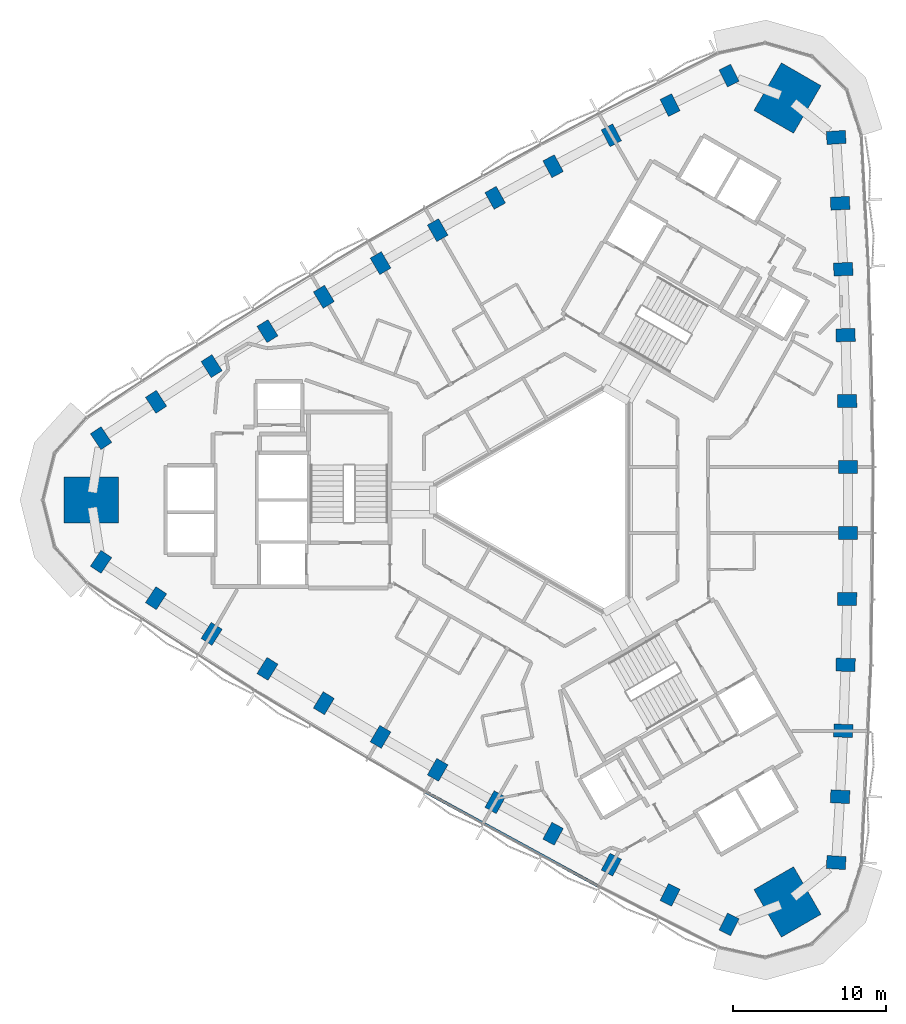
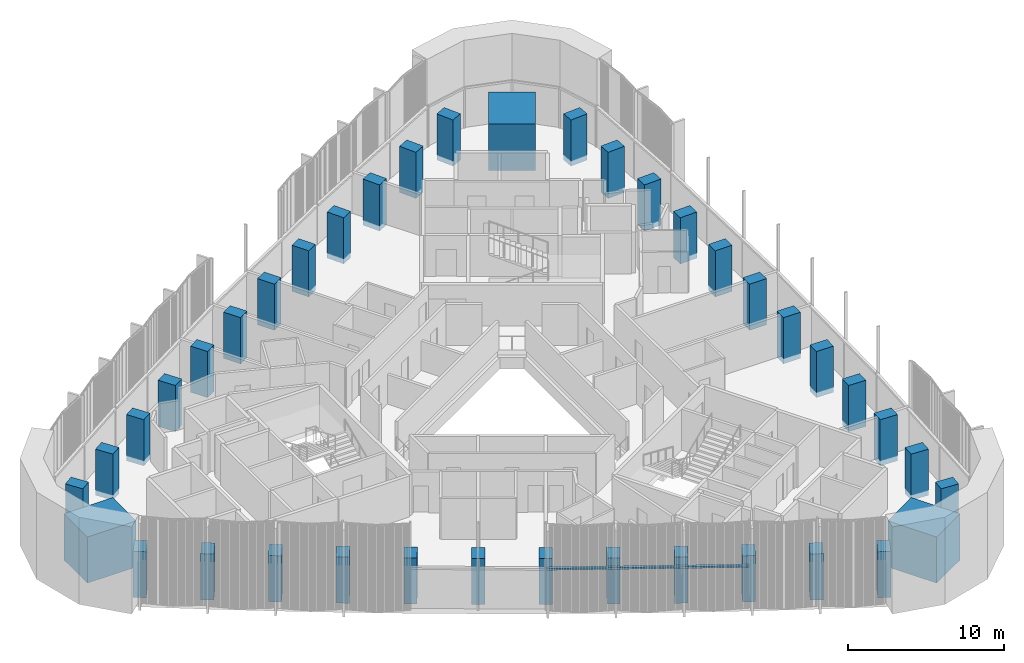
# One storey, part 1 of 15: 39 columns, 1 member, 1 element without a shape of its own.
"""IFC4 building model written with IfcOpenShell, lengths in metres."""

from ifc_helpers import new_model, si_unit, direction, frame, origin, origin_2d, place, context, subcontext, project, spatial, rectangle, extrude, material, material_profile, profile_set, type_object, element, aggregate, save


model = new_model("IFC4")

# Units and contexts
model_context = context("Model", 3, precision=1e-05, world=origin(), true_north=direction((0.0, 1.0)))
body_context = subcontext(model_context, "Body", "Model", "MODEL_VIEW")
ifc_project = project(units=[si_unit("LENGTHUNIT", "METRE"), si_unit("AREAUNIT", "SQUARE_METRE"), si_unit("VOLUMEUNIT", "CUBIC_METRE"), si_unit("PLANEANGLEUNIT", "RADIAN"), si_unit("MASSUNIT", "GRAM", prefix="KILO")], contexts=[model_context])

# Site, building, storey
site_placement = place(None, origin())
site = spatial("IfcSite", under=ifc_project, at=site_placement, CompositionType="ELEMENT")
building_placement = place(site_placement, origin())
building = spatial("IfcBuilding", under=site, at=building_placement, Name="Tamra Quay Hotel Tower", CompositionType="ELEMENT")
storey_placement = place(building_placement, frame((0.0, 0.0, 157.60009765625)))
storey = spatial("IfcBuildingStorey", under=building, at=storey_placement, Name="L39", CompositionType="ELEMENT", Elevation=157.60009765625)

# Columns
ifc_material_1 = material(Name="Concrete M70", Category="concrete")
ifc_material_profile_1 = material_profile(ifc_material_1, rectangle(XDim=1.25, YDim=0.85009765625, at=origin_2d()), Name="COLUMN RC 850x1250 Z3")
ifc_profile_set_1 = profile_set([ifc_material_profile_1], Name="Concrete M70")
column_type_1 = type_object("IfcColumnType", Name="COLUMN RC 850x1250 Z3", PredefinedType="COLUMN", material=ifc_profile_set_1)
for number, where, z_axis, x_axis, name in (
    (1, (18.396728515625, -23.757080078125, -0.400146484375), (0.0, 0.0, 1.0), (-0.997857895766, 0.065418803553, 0.0), "COL-C3E01-L39"),
    (2, (18.654541015625, -19.4423828125, -0.400146484375), (0.0, 0.0, 1.0), (-0.998562324173, 0.053603029218, 0.0), "COL-C3E02-L39"),
    (3, (18.86083984375, -15.124267578125, -0.400146484375), (0.0, 0.0, 1.0), (-0.999109109653, 0.042201741775, 0.0), "COL-C3E03-L39"),
    (4, (19.015869140625, -10.8046875, -0.400146484375), (0.0, 0.0, 1.0), (-0.99955268585, 0.029906992649, 0.0), "COL-C3E04-L39"),
    (5, (19.119140625, -6.483642578125, -0.400146484375), (0.0, 0.0, 1.0), (-0.999845156469, 0.017597246518, 0.0), "COL-C3E05-L39"),
    (6, (19.1708984375, -2.1611328125, -0.400146484375), (0.0, 0.0, 1.0), (-0.999981031775, 0.006159227987, 0.0), "COL-C3E06-L39"),
    (7, (19.1708984375, 2.1611328125, -0.400146484375), (0.0, 0.0, 1.0), (0.999981031775, 0.006159227987, 0.0), "COL-C3E07-L39"),
    (8, (19.119140625, 6.483642578125, -0.400146484375), (0.0, 0.0, 1.0), (0.999845156469, 0.017597246518, 0.0), "COL-C3E08-L39"),
    (9, (19.015869140625, 10.8046875, -0.400146484375), (0.0, 0.0, 1.0), (0.99955268585, 0.029906992649, 0.0), "COL-C3E09-L39"),
    (10, (18.86083984375, 15.124267578125, -0.400146484375), (0.0, 0.0, 1.0), (0.999109109653, 0.042201741775, 0.0), "COL-C3E10-L39"),
    (11, (18.654541015625, 19.4423828125, -0.400146484375), (0.0, 0.0, 1.0), (0.998562324173, 0.053603029218, 0.0), "COL-C3E11-L39"),
    (12, (18.396728515625, 23.757080078125, -0.400146484375), (0.0, 0.0, 1.0), (0.997857895766, 0.065418803553, 0.0), "COL-C3E12-L39"),
    (13, (11.3759765625, 27.810546875, -0.400146484375), (0.0, 0.0, 1.0), (-0.44227460212, 0.896879688877, 0.0), "COL-C3NW01-L39"),
    (14, (7.51025390625, 25.87646484375, -0.400146484375), (0.0, 0.0, 1.0), (-0.452859577064, 0.891581854605, 0.0), "COL-C3NW02-L39"),
    (15, (3.66748046875, 23.896240234375, -0.400146484375), (0.0, 0.0, 1.0), (-0.463006774365, 0.886354740999, 0.0), "COL-C3NW03-L39"),
    (16, (-0.150634765625, 21.87060546875, -0.400146484375), (0.0, 0.0, 1.0), (-0.47387612754, 0.880591514692, 0.0), "COL-C3NW04-L39"),
    (17, (-3.944580078125, 19.799560546875, -0.400146484375), (0.0, 0.0, 1.0), (-0.484682915713, 0.874689928612, 0.0), "COL-C3NW05-L39"),
    (18, (-7.7138671875, 17.68310546875, -0.400146484375), (0.0, 0.0, 1.0), (-0.494656467983, 0.869088590813, 0.0), "COL-C3NW06-L39"),
    (19, (-11.45703125, 15.521728515625, -0.400146484375), (0.0, 0.0, 1.0), (-0.505324563792, 0.862929362827, 0.0), "COL-C3NW07-L39"),
    (20, (-15.174560546875, 13.31591796875, -0.400146484375), (0.0, 0.0, 1.0), (-0.515162240756, 0.857092682094, 0.0), "COL-C3NW08-L39"),
    (21, (-18.864990234375, 11.06591796875, -0.400146484375), (0.0, 0.0, 1.0), (-0.52567655831, 0.850684522043, 0.0), "COL-C3NW09-L39"),
    (22, (-22.528564453125, 8.771728515625, -0.400146484375), (0.0, 0.0, 1.0), (-0.536102335288, 0.844152999224, 0.0), "COL-C3NW10-L39"),
    (23, (-26.164794921875, 6.43408203125, -0.400146484375), (0.0, 0.0, 1.0), (-0.545702747109, 0.837978825387, 0.0), "COL-C3NW11-L39"),
    (24, (-29.772705078125, 4.053466796875, -0.400146484375), (0.0, 0.0, 1.0), (-0.555583293645, 0.831460885323, 0.0), "COL-C3NW12-L39"),
    (25, (-29.772705078125, -4.053466796875, -0.400146484375), (0.0, 0.0, 1.0), (0.555583293645, 0.831460885323, 0.0), "COL-C3SW01-L39"),
    (26, (-26.164794921875, -6.43408203125, -0.400146484375), (0.0, 0.0, 1.0), (0.545702747109, 0.837978825387, 0.0), "COL-C3SW02-L39"),
    (27, (-22.528564453125, -8.771728515625, -0.400146484375), (0.0, 0.0, 1.0), (0.536102335288, 0.844152999224, 0.0), "COL-C3SW03-L39"),
    (28, (-18.864990234375, -11.06591796875, -0.400146484375), (0.0, 0.0, 1.0), (0.52567655831, 0.850684522043, 0.0), "COL-C3SW04-L39"),
    (29, (-15.174560546875, -13.31591796875, -0.400146484375), (0.0, 0.0, 1.0), (0.515162240756, 0.857092682094, 0.0), "COL-C3SW05-L39"),
    (30, (-11.45703125, -15.521728515625, -0.400146484375), (0.0, 0.0, 1.0), (0.505324563792, 0.862929362827, 0.0), "COL-C3SW06-L39"),
    (31, (-7.7138671875, -17.68310546875, -0.400146484375), (0.0, 0.0, 1.0), (0.494656467983, 0.869088590813, 0.0), "COL-C3SW07-L39"),
    (32, (-3.944580078125, -19.799560546875, -0.400146484375), (0.0, 0.0, 1.0), (0.484682915713, 0.874689928612, 0.0), "COL-C3SW08-L39"),
    (33, (-0.150634765625, -21.87060546875, -0.400146484375), (0.0, 0.0, 1.0), (0.47387612754, 0.880591514692, 0.0), "COL-C3SW09-L39"),
    (34, (3.66748046875, -23.896240234375, -0.400146484375), (0.0, 0.0, 1.0), (0.463006774365, 0.886354740999, 0.0), "COL-C3SW10-L39"),
    (35, (7.51025390625, -25.87646484375, -0.400146484375), (0.0, 0.0, 1.0), (0.452859577064, 0.891581854605, 0.0), "COL-C3SW11-L39"),
    (36, (11.3759765625, -27.810546875, -0.400146484375), (0.0, 0.0, 1.0), (0.44227460212, 0.896879688877, 0.0), "COL-C3SW12-L39"),
):
    element("IfcColumn", number, at=place(storey_placement, frame(where, z_axis=z_axis, x_axis=x_axis)), inside=storey, type_object=column_type_1, Name=name, PredefinedType="COLUMN", context=body_context, shape_type="SweptSolid", body=[
        extrude(rectangle(XDim=1.25, YDim=0.85009765625, at=origin_2d()), origin(), (0.0, 0.0, 1.0), 3.60009765625),
    ])
ifc_material_profile_2 = material_profile(ifc_material_1, rectangle(XDim=3.60009765625, YDim=3.0, at=origin_2d()), Name="MEGA COLUMN RC 3000x3600 Z3")
ifc_profile_set_2 = profile_set([ifc_material_profile_2], Name="Concrete M70")
column_type_2 = type_object("IfcColumnType", Name="MEGA COLUMN RC 3000x3600 Z3", PredefinedType="COLUMN", material=ifc_profile_set_2)
for number, where, z_axis, x_axis, name in (
    (37, (15.20703125, 26.339599609375, -0.400146484375), (0.0, 0.0, 1.0), (0.5, 0.866025403784, 0.0), "COL-M3NE-L39"),
    (38, (-30.414306640625, 0.0, -0.400146484375), (0.0, 0.0, 1.0), (1.0, 0.0, 0.0), "COL-M3W-L39"),
    (39, (15.20703125, -26.339599609375, -0.400146484375), (0.0, 0.0, 1.0), (-0.5, 0.866025403784, 0.0), "COL-M3SE-L39"),
):
    element("IfcColumn", number, at=place(storey_placement, frame(where, z_axis=z_axis, x_axis=x_axis)), inside=storey, type_object=column_type_2, Name=name, PredefinedType="COLUMN", context=body_context, shape_type="SweptSolid", body=[
        extrude(rectangle(XDim=3.60009765625, YDim=3.0, at=origin_2d()), origin(), (0.0, 0.0, 1.0), 3.60009765625),
    ])

# Curtain wall, member
ifc_material_2 = material(Name="Aluminium 6063 anodised dark grey", Category="aluminium")
curtain_wall_type = type_object("IfcCurtainWallType", Name="CW3 CURTAIN WALL", PredefinedType="NOTDEFINED", material=ifc_material_2)
curtain_wall_placement = place(storey_placement, origin())
curtain_wall = element("IfcCurtainWall", 40, at=curtain_wall_placement, inside=storey, type_object=curtain_wall_type, Name="CW3 south-west face L39", PredefinedType="NOTDEFINED")
ifc_material_profile_3 = material_profile(ifc_material_2, rectangle(XDim=0.199951171875, YDim=0.139892578125, at=origin_2d()), Name="TRANSOM 200X140")
ifc_profile_set_3 = profile_set([ifc_material_profile_3], Name="Aluminium 6063 anodised dark grey")
member_type = type_object("IfcMemberType", Name="TRANSOM CW3 Z3", PredefinedType="USERDEFINED", material=ifc_profile_set_3)
member_placement = place(storey_placement, frame((-8.48583984375, -19.140625, 3.1298828125), z_axis=(0.877731670987, -0.479152495293, 0.0), x_axis=(0.479152495293, 0.877731670987, 0.0)))
member = element("IfcMember", 41, at=member_placement, type_object=member_type, Name="CW3 transom L39.SW.7", ObjectType="TRANSOM", PredefinedType="USERDEFINED", context=body_context, shape_type="SweptSolid", body=[
    extrude(rectangle(XDim=0.199951171875, YDim=0.139892578125, at=origin_2d()), origin(), (0.0, 0.0, 1.0), 12.92626953125),
])
aggregate(curtain_wall, [member])

save(model, "model.ifc")
